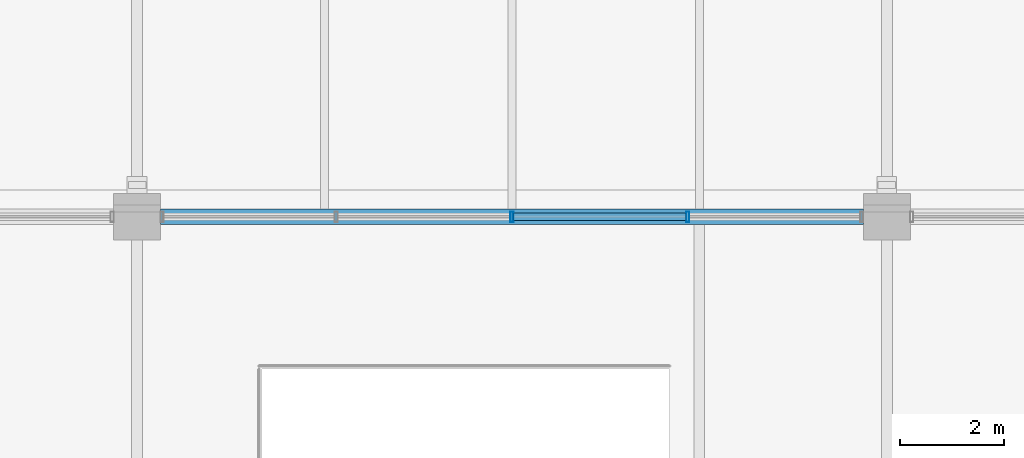
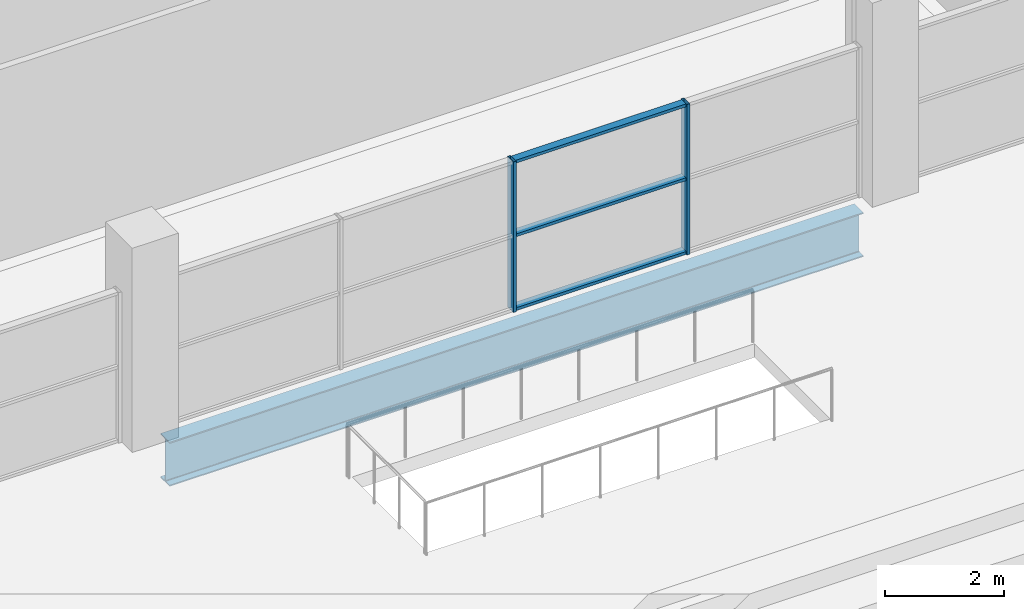
# One storey, part 65 of 161: 5 members, 1 beam, 1 element without a shape of its own.
"""IFC4 building model written with IfcOpenShell, lengths in metres."""

from ifc_helpers import new_model, si_unit, direction, frame, origin, origin_2d, place, context, subcontext, project, spatial, hollow_rectangle, i_section, extrude, material, material_profile, profile_set, type_object, element, aggregate, save


model = new_model("IFC4")

# Units and contexts
model_context = context("Model", 3, precision=1e-05, world=origin(), true_north=direction((0.0, 1.0)))
body_context = subcontext(model_context, "Body", "Model", "MODEL_VIEW")
ifc_project = project(units=[si_unit("LENGTHUNIT", "METRE"), si_unit("AREAUNIT", "SQUARE_METRE"), si_unit("VOLUMEUNIT", "CUBIC_METRE"), si_unit("PLANEANGLEUNIT", "RADIAN"), si_unit("MASSUNIT", "GRAM", prefix="KILO"), si_unit("THERMODYNAMICTEMPERATUREUNIT", "KELVIN")], contexts=[model_context])

# Site, building, storey
site_placement = place(None, origin())
site = spatial("IfcSite", under=ifc_project, at=site_placement, CompositionType="ELEMENT")
building_placement = place(site_placement, origin())
building = spatial("IfcBuilding", under=site, at=building_placement, Name="Nduvali Passage Aquatics Centre", CompositionType="ELEMENT")
storey_placement = place(building_placement, frame((0.0, 0.0, 4.800048828125)))
storey = spatial("IfcBuildingStorey", under=building, at=storey_placement, Name="L01", CompositionType="ELEMENT", Elevation=4.800048828125)

# Curtain wall, members
ifc_material_1 = material(Name="Aluminium EN AW-6063 T6", Category="aluminium")
curtain_wall_type = type_object("IfcCurtainWallType", Name="ENV-CW-HALL", PredefinedType="NOTDEFINED", material=ifc_material_1)
curtain_wall_placement = place(storey_placement, origin())
curtain_wall = element("IfcCurtainWall", 1, at=curtain_wall_placement, inside=storey, type_object=curtain_wall_type, Name="L01 North Pool Hall Concourse CW 062", PredefinedType="NOTDEFINED")
ifc_material_profile_1 = material_profile(ifc_material_1, hollow_rectangle(XDim=0.06005859375, YDim=0.199951171875, WallThickness=0.00390625, at=origin_2d()), Name="ALU MULLION 60x200x4")
ifc_profile_set_1 = profile_set([ifc_material_profile_1], Name="Aluminium EN AW-6063 T6")
member_type_1 = type_object("IfcMemberType", Name="ENV-MEM-MUL80", PredefinedType="MULLION", material=ifc_profile_set_1)
member_1_placement = place(storey_placement, frame((75.60009765625, 92.39990234375, 0.0), z_axis=(0.0, 0.0, 1.0), x_axis=(1.0, 0.0, 0.0)))
member_1 = element("IfcMember", 2, at=member_1_placement, type_object=member_type_1, Name="North Pool Hall Concourse CW Mullion 3", PredefinedType="MULLION", context=body_context, shape_type="SweptSolid", body=[
    extrude(hollow_rectangle(XDim=0.06005859375, YDim=0.199951171875, WallThickness=0.00390625, at=origin_2d()), origin(), (0.0, 0.0, 1.0), 3.09521484375),
])
member_2_placement = place(storey_placement, frame((78.97509765625, 92.39990234375, 0.0), z_axis=(0.0, 0.0, 1.0), x_axis=(1.0, 0.0, 0.0)))
member_2 = element("IfcMember", 3, at=member_2_placement, type_object=member_type_1, Name="North Pool Hall Concourse CW Mullion 4", PredefinedType="MULLION", context=body_context, shape_type="SweptSolid", body=[
    extrude(hollow_rectangle(XDim=0.06005859375, YDim=0.199951171875, WallThickness=0.00390625, at=origin_2d()), origin(), (0.0, 0.0, 1.0), 3.09521484375),
])
ifc_material_profile_2 = material_profile(ifc_material_1, hollow_rectangle(XDim=0.14990234375, YDim=0.06005859375, WallThickness=0.00390625, at=origin_2d()), Name="ALU TRANSOM 150x60x4")
ifc_profile_set_2 = profile_set([ifc_material_profile_2], Name="Aluminium EN AW-6063 T6")
member_type_2 = type_object("IfcMemberType", Name="ENV-MEM-TRN80", PredefinedType="USERDEFINED", material=ifc_profile_set_2)
member_3_placement = place(storey_placement, frame((75.6298828125, 92.39990234375, 0.030029296875), z_axis=(1.0, 0.0, 0.0), x_axis=(0.0, 1.0, 0.0)))
member_3 = element("IfcMember", 4, at=member_3_placement, type_object=member_type_2, Name="North Pool Hall Concourse CW Transom B3-R0", ObjectType="TRANSOM", PredefinedType="USERDEFINED", context=body_context, shape_type="SweptSolid", body=[
    extrude(hollow_rectangle(XDim=0.14990234375, YDim=0.06005859375, WallThickness=0.00390625, at=origin_2d()), origin(), (0.0, 0.0, 1.0), 3.315185546875),
])
member_4_placement = place(storey_placement, frame((75.6298828125, 92.39990234375, 1.547607421875), z_axis=(1.0, 0.0, 0.0), x_axis=(0.0, 1.0, 0.0)))
member_4 = element("IfcMember", 5, at=member_4_placement, type_object=member_type_2, Name="North Pool Hall Concourse CW Transom B3-R1", ObjectType="TRANSOM", PredefinedType="USERDEFINED", context=body_context, shape_type="SweptSolid", body=[
    extrude(hollow_rectangle(XDim=0.14990234375, YDim=0.06005859375, WallThickness=0.00390625, at=origin_2d()), origin(), (0.0, 0.0, 1.0), 3.315185546875),
])
member_5_placement = place(storey_placement, frame((75.6298828125, 92.39990234375, 3.065185546875), z_axis=(1.0, 0.0, 0.0), x_axis=(0.0, 1.0, 0.0)))
member_5 = element("IfcMember", 6, at=member_5_placement, type_object=member_type_2, Name="North Pool Hall Concourse CW Transom B3-R2", ObjectType="TRANSOM", PredefinedType="USERDEFINED", context=body_context, shape_type="SweptSolid", body=[
    extrude(hollow_rectangle(XDim=0.14990234375, YDim=0.06005859375, WallThickness=0.00390625, at=origin_2d()), origin(), (0.0, 0.0, 1.0), 3.315185546875),
])
aggregate(curtain_wall, [member_1, member_2, member_3, member_4, member_5])

# Beam
ifc_material_2 = material(Name="Steel S355", Category="steel")
ifc_material_profile_3 = material_profile(ifc_material_2, i_section(OverallWidth=0.30419921875, OverallDepth=0.910400390625, WebThickness=0.015869140625, FlangeThickness=0.02392578125, FilletRadius=0.01904296875, at=origin_2d()), Name="UKB 914x305x224")
ifc_profile_set_3 = profile_set([ifc_material_profile_3], Name="Steel S355")
beam_type = type_object("IfcBeamType", Name="STR-BM-UKB914-EXT", PredefinedType="BEAM", material=ifc_profile_set_3)
beam_placement = place(storey_placement, frame((68.85009765625, 92.39990234375, -0.7392578125), z_axis=(1.0, 0.0, 0.0), x_axis=(0.0, 1.0, 0.0)))
element("IfcBeam", 7, at=beam_placement, inside=storey, type_object=beam_type, Name="L01 Primary X-Girder B4AE-0527", PredefinedType="BEAM", context=body_context, shape_type="SweptSolid", body=[
    extrude(i_section(OverallWidth=0.30419921875, OverallDepth=0.910400390625, WebThickness=0.015869140625, FlangeThickness=0.02392578125, FilletRadius=0.01904296875, at=origin_2d()), origin(), (0.0, 0.0, 1.0), 13.5),
])

save(model, "model.ifc")
